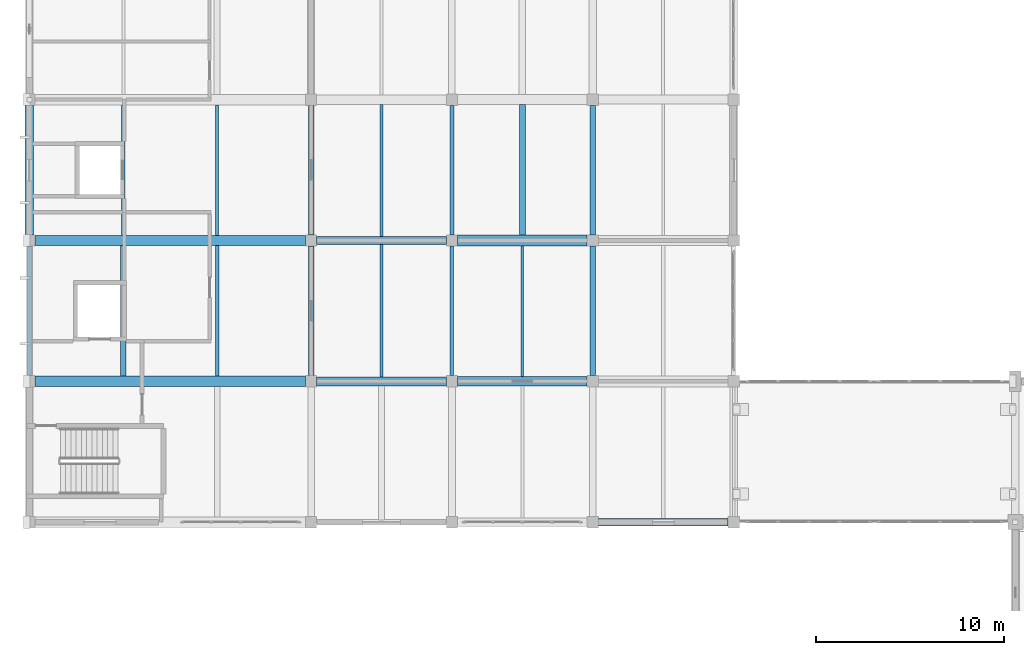
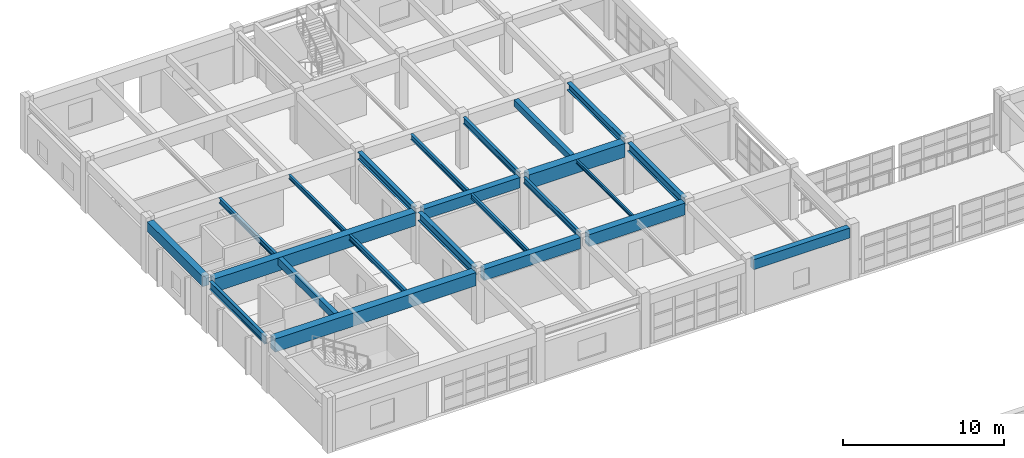
# One storey, part 43 of 124: 23 beams.
"""IFC4 building model written with IfcOpenShell, lengths in metres."""

from ifc_helpers import new_model, si_unit, direction, frame, origin, origin_2d, place, context, subcontext, project, spatial, rectangle, i_section, extrude, material, material_profile, profile_set, type_object, element, save


model = new_model("IFC4")

# Units and contexts
model_context = context("Model", 3, precision=1e-05, world=origin(), true_north=direction((0.0, 1.0)))
body_context = subcontext(model_context, "Body", "Model", "MODEL_VIEW")
ifc_project = project(units=[si_unit("LENGTHUNIT", "METRE"), si_unit("AREAUNIT", "SQUARE_METRE"), si_unit("VOLUMEUNIT", "CUBIC_METRE"), si_unit("PLANEANGLEUNIT", "RADIAN"), si_unit("MASSUNIT", "GRAM", prefix="KILO")], contexts=[model_context])

# Site, building, storey
site_placement = place(None, origin())
site = spatial("IfcSite", under=ifc_project, at=site_placement, CompositionType="ELEMENT")
building_placement = place(site_placement, origin())
building = spatial("IfcBuilding", under=site, at=building_placement, Name="Qasida Concert Hall", CompositionType="ELEMENT")
storey_placement = place(building_placement, frame((0.0, 0.0, 9.0)))
storey = spatial("IfcBuildingStorey", under=building, at=storey_placement, Name="L02", CompositionType="ELEMENT", Elevation=9.0)

# Beams
ifc_material_1 = material(Name="Steel S355J2", Category="steel")
ifc_material_profile_1 = material_profile(ifc_material_1, i_section(OverallWidth=0.300048828125, OverallDepth=0.550048828125, WebThickness=0.014892578125, FlangeThickness=0.029052734375, FilletRadius=0.027099609375, at=origin_2d()), Name="HEB 550")
ifc_profile_set_1 = profile_set([ifc_material_profile_1], Name="Steel S355J2")
beam_type_1 = type_object("IfcBeamType", Name="BM-B12", PredefinedType="BEAM", material=ifc_profile_set_1)
for number, where, z_axis, x_axis, name in (
    (1, (15.0, 90.300048828125, 3.625), (0.0, 1.0, 0.0), (-1.0, 0.0, 0.0), "L02 girder 1469"),
    (2, (30.0, 90.300048828125, 3.625), (0.0, 1.0, 0.0), (-1.0, 0.0, 0.0), "L02 girder 1479"),
):
    element("IfcBeam", number, at=place(storey_placement, frame(where, z_axis=z_axis, x_axis=x_axis)), inside=storey, type_object=beam_type_1, Name=name, PredefinedType="BEAM", context=body_context, shape_type="SweptSolid", body=[
        extrude(i_section(OverallWidth=0.300048828125, OverallDepth=0.550048828125, WebThickness=0.014892578125, FlangeThickness=0.029052734375, FilletRadius=0.027099609375, at=origin_2d()), origin(), (0.0, 0.0, 1.0), 6.89990234375),
    ])
ifc_material_profile_2 = material_profile(ifc_material_1, i_section(OverallWidth=0.300048828125, OverallDepth=0.64990234375, WebThickness=0.01611328125, FlangeThickness=0.031005859375, FilletRadius=0.027099609375, at=origin_2d()), Name="HEB 650")
ifc_profile_set_2 = profile_set([ifc_material_profile_2], Name="Steel S355J2")
beam_type_2 = type_object("IfcBeamType", Name="BM-B13", PredefinedType="BEAM", material=ifc_profile_set_2)
for number, where, z_axis, x_axis, name in (
    (3, (15.0, 82.800048828125, 3.574951171875), (0.0, 1.0, 0.0), (-1.0, 0.0, 0.0), "L02 girder 1468"),
    (4, (30.0, 82.800048828125, 3.574951171875), (0.0, 1.0, 0.0), (-1.0, 0.0, 0.0), "L02 girder 1478"),
):
    element("IfcBeam", number, at=place(storey_placement, frame(where, z_axis=z_axis, x_axis=x_axis)), inside=storey, type_object=beam_type_2, Name=name, PredefinedType="BEAM", context=body_context, shape_type="SweptSolid", body=[
        extrude(i_section(OverallWidth=0.300048828125, OverallDepth=0.64990234375, WebThickness=0.01611328125, FlangeThickness=0.031005859375, FilletRadius=0.027099609375, at=origin_2d()), origin(), (0.0, 0.0, 1.0), 6.89990234375),
    ])
ifc_material_profile_3 = material_profile(ifc_material_1, i_section(OverallWidth=0.199951171875, OverallDepth=0.5, WebThickness=0.01025390625, FlangeThickness=0.01611328125, FilletRadius=0.02099609375, at=origin_2d()), Name="IPE 500")
ifc_profile_set_3 = profile_set([ifc_material_profile_3], Name="Steel S355J2")
beam_type_3 = type_object("IfcBeamType", Name="BM-B4", PredefinedType="BEAM", material=ifc_profile_set_3)
beam_1_placement = place(storey_placement, frame((22.5, 90.300048828125, 3.64990234375), z_axis=(0.0, 1.0, 0.0), x_axis=(-1.0, 0.0, 0.0)))
element("IfcBeam", 5, at=beam_1_placement, inside=storey, type_object=beam_type_3, Name="L02 girder 1474", PredefinedType="BEAM", context=body_context, shape_type="SweptSolid", body=[
    extrude(i_section(OverallWidth=0.199951171875, OverallDepth=0.5, WebThickness=0.01025390625, FlangeThickness=0.01611328125, FilletRadius=0.02099609375, at=origin_2d()), origin(), (0.0, 0.0, 1.0), 6.89990234375),
])
ifc_material_profile_4 = material_profile(ifc_material_1, i_section(OverallWidth=0.18994140625, OverallDepth=0.449951171875, WebThickness=0.009521484375, FlangeThickness=0.0146484375, FilletRadius=0.02099609375, at=origin_2d()), Name="IPE 450")
ifc_profile_set_4 = profile_set([ifc_material_profile_4], Name="Steel S355J2")
beam_type_4 = type_object("IfcBeamType", Name="BM-B5", PredefinedType="BEAM", material=ifc_profile_set_4)
beam_2_placement = place(storey_placement, frame((22.5, 82.800048828125, 3.675048828125), z_axis=(0.0, 1.0, 0.0), x_axis=(-1.0, 0.0, 0.0)))
element("IfcBeam", 6, at=beam_2_placement, inside=storey, type_object=beam_type_4, Name="L02 girder 1473", PredefinedType="BEAM", context=body_context, shape_type="SweptSolid", body=[
    extrude(i_section(OverallWidth=0.18994140625, OverallDepth=0.449951171875, WebThickness=0.009521484375, FlangeThickness=0.0146484375, FilletRadius=0.02099609375, at=origin_2d()), origin(), (0.0, 0.0, 1.0), 6.89990234375),
])
ifc_material_2 = material(Name="Concrete C40/50", Category="concrete")
ifc_material_profile_5 = material_profile(ifc_material_2, rectangle(XDim=0.5, YDim=0.89990234375, at=origin_2d()), Name="RC 500x900")
ifc_profile_set_5 = profile_set([ifc_material_profile_5], Name="Concrete C40/50")
beam_type_5 = type_object("IfcBeamType", Name="BM-G1", PredefinedType="USERDEFINED", material=ifc_profile_set_5)
beam_3_placement = place(storey_placement, frame((22.800048828125, 82.5, 3.449951171875), z_axis=(1.0, 0.0, 0.0), x_axis=(0.0, 1.0, 0.0)))
element("IfcBeam", 7, at=beam_3_placement, inside=storey, type_object=beam_type_5, Name="Primary girder 1444", ObjectType="GIRDER", PredefinedType="USERDEFINED", context=body_context, shape_type="SweptSolid", body=[
    extrude(rectangle(XDim=0.5, YDim=0.89990234375, at=origin_2d()), origin(), (0.0, 0.0, 1.0), 6.89990234375),
])
ifc_material_profile_6 = material_profile(ifc_material_2, rectangle(XDim=0.449951171875, YDim=0.800048828125, at=origin_2d()), Name="RC 450x800")
ifc_profile_set_6 = profile_set([ifc_material_profile_6], Name="Concrete C40/50")
beam_type_6 = type_object("IfcBeamType", Name="BM-G2", PredefinedType="USERDEFINED", material=ifc_profile_set_6)
beam_4_placement = place(storey_placement, frame((15.300048828125, 90.0, 3.5), z_axis=(1.0, 0.0, 0.0), x_axis=(0.0, 1.0, 0.0)))
element("IfcBeam", 8, at=beam_4_placement, inside=storey, type_object=beam_type_6, Name="Primary girder 1447", ObjectType="GIRDER", PredefinedType="USERDEFINED", context=body_context, shape_type="SweptSolid", body=[
    extrude(rectangle(XDim=0.449951171875, YDim=0.800048828125, at=origin_2d()), origin(), (0.0, 0.0, 1.0), 6.89990234375),
])
ifc_material_profile_7 = material_profile(ifc_material_2, rectangle(XDim=0.550048828125, YDim=1.0, at=origin_2d()), Name="RC 550x1000")
ifc_profile_set_7 = profile_set([ifc_material_profile_7], Name="Concrete C40/50")
beam_type_7 = type_object("IfcBeamType", Name="BM-G3", PredefinedType="USERDEFINED", material=ifc_profile_set_7)
for number, where, z_axis, x_axis, name in (
    (9, (0.300048828125, 82.5, 3.39990234375), (1.0, 0.0, 0.0), (0.0, 1.0, 0.0), "Primary girder 1442"),
    (10, (0.300048828125, 90.0, 3.39990234375), (1.0, 0.0, 0.0), (0.0, 1.0, 0.0), "Primary girder 1446"),
):
    element("IfcBeam", number, at=place(storey_placement, frame(where, z_axis=z_axis, x_axis=x_axis)), inside=storey, type_object=beam_type_7, Name=name, ObjectType="GIRDER", PredefinedType="USERDEFINED", context=body_context, shape_type="SweptSolid", body=[
        extrude(rectangle(XDim=0.550048828125, YDim=1.0, at=origin_2d()), origin(), (0.0, 0.0, 1.0), 14.39990234375),
    ])
ifc_material_profile_8 = material_profile(ifc_material_2, rectangle(XDim=0.47998046875, YDim=0.85009765625, at=origin_2d()), Name="RC 480x850")
ifc_profile_set_8 = profile_set([ifc_material_profile_8], Name="Concrete C40/50")
beam_type_8 = type_object("IfcBeamType", Name="BM-G6", PredefinedType="USERDEFINED", material=ifc_profile_set_8)
beam_5_placement = place(storey_placement, frame((15.300048828125, 82.5, 3.47509765625), z_axis=(1.0, 0.0, 0.0), x_axis=(0.0, 1.0, 0.0)))
element("IfcBeam", 11, at=beam_5_placement, inside=storey, type_object=beam_type_8, Name="Primary girder 1443", ObjectType="GIRDER", PredefinedType="USERDEFINED", context=body_context, shape_type="SweptSolid", body=[
    extrude(rectangle(XDim=0.47998046875, YDim=0.85009765625, at=origin_2d()), origin(), (0.0, 0.0, 1.0), 6.89990234375),
])
ifc_material_3 = material(Name="Concrete C50/60", Category="concrete")
ifc_material_profile_9 = material_profile(ifc_material_3, rectangle(XDim=0.580078125, YDim=1.050048828125, at=origin_2d()), Name="RC 580x1050")
ifc_profile_set_9 = profile_set([ifc_material_profile_9], Name="Concrete C50/60")
beam_type_9 = type_object("IfcBeamType", Name="BM-G8", PredefinedType="USERDEFINED", material=ifc_profile_set_9)
beam_6_placement = place(storey_placement, frame((22.800048828125, 90.0, 3.375), z_axis=(1.0, 0.0, 0.0), x_axis=(0.0, 1.0, 0.0)))
element("IfcBeam", 12, at=beam_6_placement, inside=storey, type_object=beam_type_9, Name="Primary girder 1448", ObjectType="GIRDER", PredefinedType="USERDEFINED", context=body_context, shape_type="SweptSolid", body=[
    extrude(rectangle(XDim=0.580078125, YDim=1.050048828125, at=origin_2d()), origin(), (0.0, 0.0, 1.0), 6.89990234375),
])
ifc_material_profile_10 = material_profile(ifc_material_2, rectangle(XDim=0.300048828125, YDim=0.550048828125, at=origin_2d()), Name="RC 300x550")
ifc_profile_set_10 = profile_set([ifc_material_profile_10], Name="Concrete C40/50")
beam_type_10 = type_object("IfcBeamType", Name="BM-J1", PredefinedType="JOIST", material=ifc_profile_set_10)
beam_7_placement = place(storey_placement, frame((5.0, 82.77490234375, 3.625), z_axis=(0.0, 1.0, 0.0), x_axis=(-1.0, 0.0, 0.0)))
element("IfcBeam", 13, at=beam_7_placement, inside=storey, type_object=beam_type_10, Name="L02 secondary joist 1488", PredefinedType="JOIST", context=body_context, shape_type="SweptSolid", body=[
    extrude(rectangle(XDim=0.300048828125, YDim=0.550048828125, at=origin_2d()), origin(), (0.0, 0.0, 1.0), 6.9501953125),
])
ifc_material_profile_11 = material_profile(ifc_material_1, i_section(OverallWidth=0.169921875, OverallDepth=0.360107421875, WebThickness=0.008056640625, FlangeThickness=0.0126953125, FilletRadius=0.01806640625, at=origin_2d()), Name="IPE 360")
ifc_profile_set_11 = profile_set([ifc_material_profile_11], Name="Steel S355J2")
beam_type_11 = type_object("IfcBeamType", Name="BM-J2", PredefinedType="JOIST", material=ifc_profile_set_11)
beam_8_placement = place(storey_placement, frame((18.75, 82.739990234375, 3.719970703125), z_axis=(0.0, 1.0, 0.0), x_axis=(-1.0, 0.0, 0.0)))
element("IfcBeam", 14, at=beam_8_placement, inside=storey, type_object=beam_type_11, Name="L02 secondary joist 1497", PredefinedType="JOIST", context=body_context, shape_type="SweptSolid", body=[
    extrude(i_section(OverallWidth=0.169921875, OverallDepth=0.360107421875, WebThickness=0.008056640625, FlangeThickness=0.0126953125, FilletRadius=0.01806640625, at=origin_2d()), origin(), (0.0, 0.0, 1.0), 7.034912109375),
])
ifc_material_profile_12 = material_profile(ifc_material_1, i_section(OverallWidth=0.179931640625, OverallDepth=0.39990234375, WebThickness=0.008544921875, FlangeThickness=0.013427734375, FilletRadius=0.02099609375, at=origin_2d()), Name="IPE 400")
ifc_profile_set_12 = profile_set([ifc_material_profile_12], Name="Steel S355J2")
beam_type_12 = type_object("IfcBeamType", Name="BM-J3", PredefinedType="JOIST", material=ifc_profile_set_12)
for number, where, z_axis, x_axis, name in (
    (15, (10.0, 82.77490234375, 3.699951171875), (0.0, 1.0, 0.0), (-1.0, 0.0, 0.0), "L02 secondary joist 1489"),
    (16, (5.0, 90.27490234375, 3.699951171875), (0.0, 1.0, 0.0), (-1.0, 0.0, 0.0), "L02 secondary joist 1490"),
):
    element("IfcBeam", number, at=place(storey_placement, frame(where, z_axis=z_axis, x_axis=x_axis)), inside=storey, type_object=beam_type_12, Name=name, PredefinedType="JOIST", context=body_context, shape_type="SweptSolid", body=[
        extrude(i_section(OverallWidth=0.179931640625, OverallDepth=0.39990234375, WebThickness=0.008544921875, FlangeThickness=0.013427734375, FilletRadius=0.02099609375, at=origin_2d()), origin(), (0.0, 0.0, 1.0), 6.9501953125),
    ])
beam_9_placement = place(storey_placement, frame((18.75, 90.22509765625, 3.699951171875), z_axis=(0.0, 1.0, 0.0), x_axis=(-1.0, 0.0, 0.0)))
element("IfcBeam", 17, at=beam_9_placement, inside=storey, type_object=beam_type_12, Name="L02 secondary joist 1498", PredefinedType="JOIST", context=body_context, shape_type="SweptSolid", body=[
    extrude(i_section(OverallWidth=0.179931640625, OverallDepth=0.39990234375, WebThickness=0.008544921875, FlangeThickness=0.013427734375, FilletRadius=0.02099609375, at=origin_2d()), origin(), (0.0, 0.0, 1.0), 7.02490234375),
])
ifc_material_profile_13 = material_profile(ifc_material_1, i_section(OverallWidth=0.159912109375, OverallDepth=0.330078125, WebThickness=0.007568359375, FlangeThickness=0.011474609375, FilletRadius=0.01806640625, at=origin_2d()), Name="IPE 330")
ifc_profile_set_13 = profile_set([ifc_material_profile_13], Name="Steel S355J2")
beam_type_13 = type_object("IfcBeamType", Name="BM-J5", PredefinedType="JOIST", material=ifc_profile_set_13)
beam_10_placement = place(storey_placement, frame((10.0, 90.27490234375, 3.735107421875), z_axis=(0.0, 1.0, 0.0), x_axis=(-1.0, 0.0, 0.0)))
element("IfcBeam", 18, at=beam_10_placement, inside=storey, type_object=beam_type_13, Name="L02 secondary joist 1491", PredefinedType="JOIST", context=body_context, shape_type="SweptSolid", body=[
    extrude(i_section(OverallWidth=0.159912109375, OverallDepth=0.330078125, WebThickness=0.007568359375, FlangeThickness=0.011474609375, FilletRadius=0.01806640625, at=origin_2d()), origin(), (0.0, 0.0, 1.0), 6.9501953125),
])
ifc_material_profile_14 = material_profile(ifc_material_1, i_section(OverallWidth=0.135009765625, OverallDepth=0.27001953125, WebThickness=0.006591796875, FlangeThickness=0.01025390625, FilletRadius=0.014892578125, at=origin_2d()), Name="IPE 270")
ifc_profile_set_14 = profile_set([ifc_material_profile_14], Name="Steel S355J2")
beam_type_14 = type_object("IfcBeamType", Name="BM-J6", PredefinedType="JOIST", material=ifc_profile_set_14)
beam_11_placement = place(storey_placement, frame((26.25, 82.75, 3.764892578125), z_axis=(0.0, 1.0, 0.0), x_axis=(-1.0, 0.0, 0.0)))
element("IfcBeam", 19, at=beam_11_placement, inside=storey, type_object=beam_type_14, Name="L02 secondary joist 1501", PredefinedType="JOIST", context=body_context, shape_type="SweptSolid", body=[
    extrude(i_section(OverallWidth=0.135009765625, OverallDepth=0.27001953125, WebThickness=0.006591796875, FlangeThickness=0.01025390625, FilletRadius=0.014892578125, at=origin_2d()), origin(), (0.0, 0.0, 1.0), 6.9599609375),
])
ifc_material_profile_15 = material_profile(ifc_material_2, rectangle(XDim=0.320068359375, YDim=0.5, at=origin_2d()), Name="RC 320x500")
ifc_profile_set_15 = profile_set([ifc_material_profile_15], Name="Concrete C40/50")
beam_type_15 = type_object("IfcBeamType", Name="BM-J7", PredefinedType="JOIST", material=ifc_profile_set_15)
beam_12_placement = place(storey_placement, frame((26.25, 90.2900390625, 3.64990234375), z_axis=(0.0, 1.0, 0.0), x_axis=(-1.0, 0.0, 0.0)))
element("IfcBeam", 20, at=beam_12_placement, inside=storey, type_object=beam_type_15, Name="L02 secondary joist 1502", PredefinedType="JOIST", context=body_context, shape_type="SweptSolid", body=[
    extrude(rectangle(XDim=0.320068359375, YDim=0.5, at=origin_2d()), origin(), (0.0, 0.0, 1.0), 6.949951171875),
])
ifc_material_profile_16 = material_profile(ifc_material_2, rectangle(XDim=0.39990234375, YDim=0.75, at=origin_2d()), Name="RC 400x750")
ifc_profile_set_16 = profile_set([ifc_material_profile_16], Name="Concrete C40/50")
beam_type_16 = type_object("IfcBeamType", Name="BM-SP1", PredefinedType="SPANDREL", material=ifc_profile_set_16)
beam_13_placement = place(storey_placement, frame((30.300048828125, 75.0, 3.52490234375), z_axis=(1.0, 0.0, 0.0), x_axis=(0.0, 1.0, 0.0)))
element("IfcBeam", 21, at=beam_13_placement, inside=storey, type_object=beam_type_16, Name="Primary girder 1441", PredefinedType="SPANDREL", context=body_context, shape_type="SweptSolid", body=[
    extrude(rectangle(XDim=0.39990234375, YDim=0.75, at=origin_2d()), origin(), (0.0, 0.0, 1.0), 6.89990234375),
])
ifc_material_profile_17 = material_profile(ifc_material_1, i_section(OverallWidth=0.219970703125, OverallDepth=0.60009765625, WebThickness=0.011962890625, FlangeThickness=0.01904296875, FilletRadius=0.02392578125, at=origin_2d()), Name="IPE 600")
ifc_profile_set_17 = profile_set([ifc_material_profile_17], Name="Steel S355J2")
beam_type_17 = type_object("IfcBeamType", Name="BM-SP3", PredefinedType="SPANDREL", material=ifc_profile_set_17)
beam_14_placement = place(storey_placement, frame((0.0, 82.800048828125, 3.60009765625), z_axis=(0.0, 1.0, 0.0), x_axis=(-1.0, 0.0, 0.0)))
element("IfcBeam", 22, at=beam_14_placement, inside=storey, type_object=beam_type_17, Name="L02 girder 1463", PredefinedType="SPANDREL", context=body_context, shape_type="SweptSolid", body=[
    extrude(i_section(OverallWidth=0.219970703125, OverallDepth=0.60009765625, WebThickness=0.011962890625, FlangeThickness=0.01904296875, FilletRadius=0.02392578125, at=origin_2d()), origin(), (0.0, 0.0, 1.0), 6.89990234375),
])
ifc_material_profile_18 = material_profile(ifc_material_2, rectangle(XDim=0.449951171875, YDim=0.75, at=origin_2d()), Name="RC 450x750")
ifc_profile_set_18 = profile_set([ifc_material_profile_18], Name="Concrete C40/50")
beam_type_18 = type_object("IfcBeamType", Name="BM-SP4", PredefinedType="SPANDREL", material=ifc_profile_set_18)
beam_15_placement = place(storey_placement, frame((0.0, 90.300048828125, 3.52490234375), z_axis=(0.0, 1.0, 0.0), x_axis=(-1.0, 0.0, 0.0)))
element("IfcBeam", 23, at=beam_15_placement, inside=storey, type_object=beam_type_18, Name="L02 girder 1464", PredefinedType="SPANDREL", context=body_context, shape_type="SweptSolid", body=[
    extrude(rectangle(XDim=0.449951171875, YDim=0.75, at=origin_2d()), origin(), (0.0, 0.0, 1.0), 6.89990234375),
])

save(model, "model.ifc")
